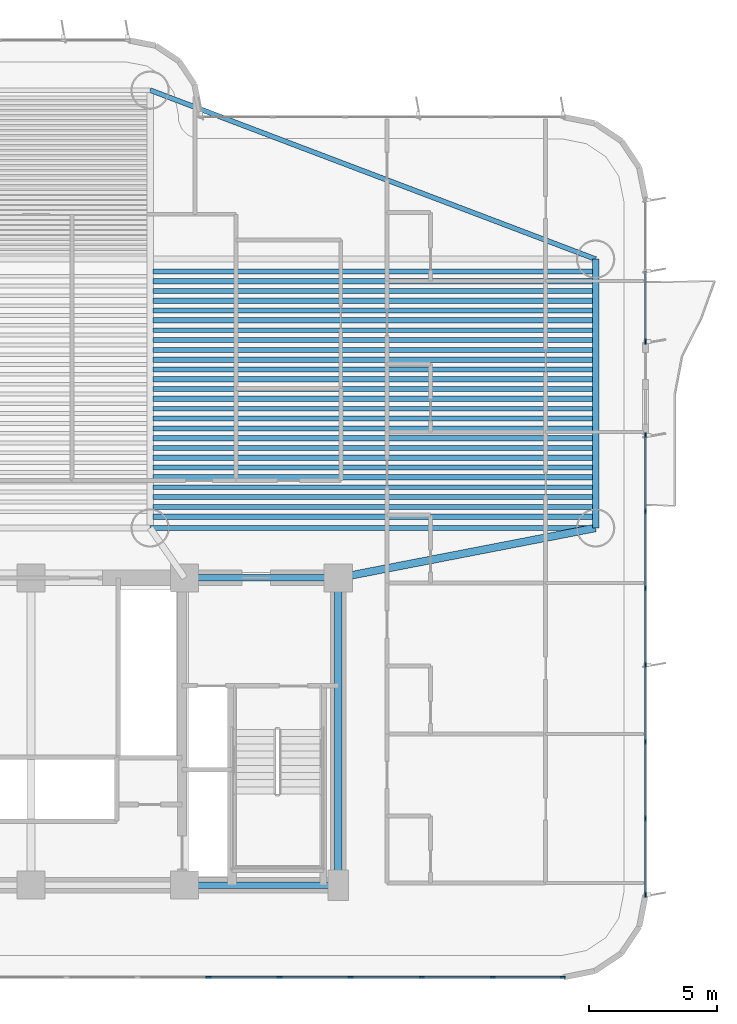
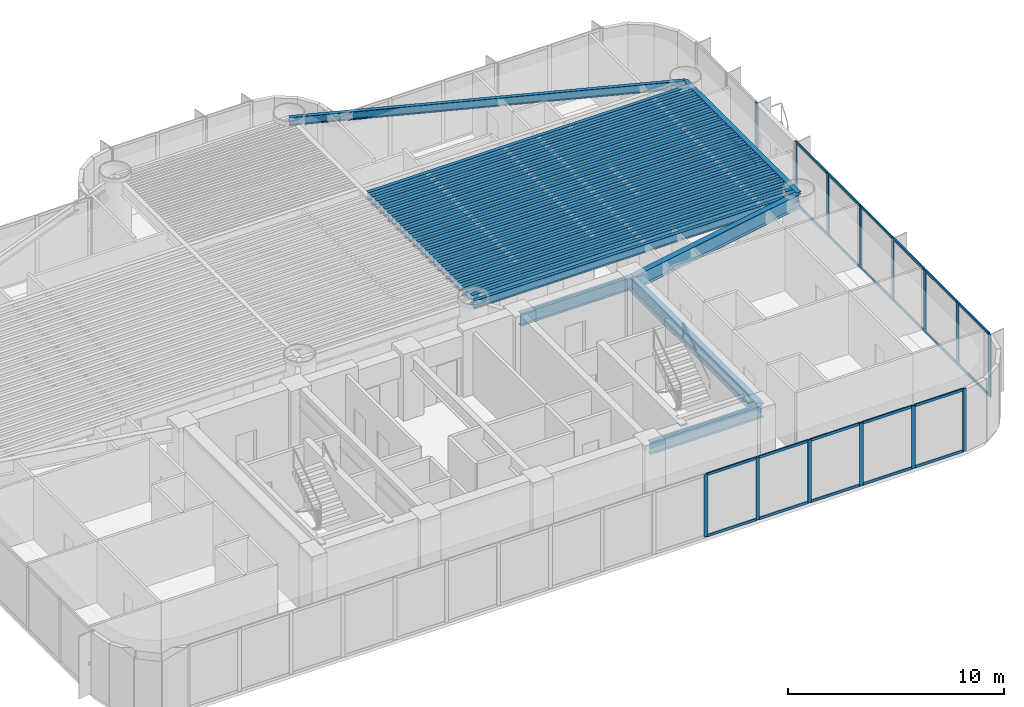
# One storey, part 5 of 18: 37 members, 33 beams, 3 elements without a shape of their own.
"""IFC4 building model written with IfcOpenShell, lengths in metres."""

from ifc_helpers import new_model, si_unit, direction, frame, origin, origin_2d, place, context, subcontext, project, spatial, rectangle, i_section, extrude, source, transform, mapped, material, layer, layer_set, material_profile, profile_set, type_object, element, aggregate, save


model = new_model("IFC4")

# Units and contexts
model_context = context("Model", 3, precision=1e-05, world=origin(), true_north=direction((0.0, 1.0)))
body_context = subcontext(model_context, "Body", "Model", "MODEL_VIEW")
ifc_project = project(units=[si_unit("LENGTHUNIT", "METRE"), si_unit("AREAUNIT", "SQUARE_METRE"), si_unit("VOLUMEUNIT", "CUBIC_METRE"), si_unit("PLANEANGLEUNIT", "RADIAN"), si_unit("MASSUNIT", "GRAM", prefix="KILO")], contexts=[model_context])

# Site, building, storey
site_placement = place(None, origin())
site = spatial("IfcSite", under=ifc_project, at=site_placement, CompositionType="ELEMENT")
building_placement = place(site_placement, origin())
building = spatial("IfcBuilding", under=site, at=building_placement, Name="Brelvock Crest Care Tower", CompositionType="ELEMENT")
storey_placement = place(building_placement, frame((0.0, 0.0, 42.1201171875)))
storey = spatial("IfcBuildingStorey", under=building, at=storey_placement, Name="L10", CompositionType="ELEMENT", Elevation=42.1201171875)

# Beams
ifc_material_1 = material(Name="Steel Grade 350", Category="steel")
ifc_material_profile_1 = material_profile(ifc_material_1, i_section(OverallWidth=0.25, OverallDepth=0.699951171875, WebThickness=0.011962890625, FlangeThickness=0.02001953125, at=origin_2d()), Name="700WB150")
ifc_profile_set_1 = profile_set([ifc_material_profile_1], Name="Steel Grade 350")
beam_type_1 = type_object("IfcBeamType", Name="BM-G4", PredefinedType="BEAM", material=ifc_profile_set_1)
shared_shape_1 = source(origin(), body_context, "Body", "SweptSolid", [
    extrude(i_section(OverallWidth=0.25, OverallDepth=0.699951171875, WebThickness=0.011962890625, FlangeThickness=0.02001953125, at=origin_2d()), origin(), (0.0, 0.0, 1.0), 6.0),
])
for number, where, z_axis, x_axis, name in (
    (1, (42.0, 6.0, 3.179931640625), (1.0, 0.0, 0.0), (0.0, 1.0, 0.0), "BM-CORES-L10-4"),
    (2, (42.0, 18.0, 3.179931640625), (1.0, 0.0, 0.0), (0.0, 1.0, 0.0), "BM-COREN-L10-4"),
):
    element("IfcBeam", number, at=place(storey_placement, frame(where, z_axis=z_axis, x_axis=x_axis)), inside=storey, type_object=beam_type_1, Name=name, PredefinedType="BEAM", context=body_context, shape_type="MappedRepresentation", body=[
        mapped(shared_shape_1, transform((0.0, 0.0, 0.0), x_axis=(1.0, 0.0, 0.0), y_axis=(0.0, 1.0, 0.0), z_axis=(0.0, 0.0, 1.0), scale=1.0)),
    ])
ifc_material_profile_2 = material_profile(ifc_material_1, i_section(OverallWidth=0.300048828125, OverallDepth=0.800048828125, WebThickness=0.013916015625, FlangeThickness=0.02197265625, at=origin_2d()), Name="800WB192")
ifc_profile_set_2 = profile_set([ifc_material_profile_2], Name="Steel Grade 350")
beam_type_2 = type_object("IfcBeamType", Name="BM-G5", PredefinedType="BEAM", material=ifc_profile_set_2)
shared_shape_2 = source(origin(), body_context, "Body", "SweptSolid", [
    extrude(i_section(OverallWidth=0.300048828125, OverallDepth=0.800048828125, WebThickness=0.013916015625, FlangeThickness=0.02197265625, at=origin_2d()), origin(), (0.0, 0.0, 1.0), 12.0),
])
beam_1_placement = place(storey_placement, frame((48.0, 6.0, 3.1298828125), z_axis=(0.0, 1.0, 0.0), x_axis=(-1.0, 0.0, 0.0)))
element("IfcBeam", 3, at=beam_1_placement, inside=storey, type_object=beam_type_2, Name="BM-COREX-L10-5", PredefinedType="BEAM", context=body_context, shape_type="MappedRepresentation", body=[
    mapped(shared_shape_2, transform((0.0, 0.0, 0.0), x_axis=(1.0, 0.0, 0.0), y_axis=(0.0, 1.0, 0.0), z_axis=(0.0, 0.0, 1.0), scale=1.0)),
])
shared_shape_3 = source(origin(), body_context, "Body", "SweptSolid", [
    extrude(i_section(OverallWidth=0.25, OverallDepth=0.699951171875, WebThickness=0.011962890625, FlangeThickness=0.02001953125, at=origin_2d()), origin(), (0.0, 0.0, 1.0), 10.5),
])
beam_2_placement = place(storey_placement, frame((58.050048828125, 19.949951171875, 3.179931640625), z_axis=(0.0, 1.0, 0.0), x_axis=(-1.0, 0.0, 0.0)))
element("IfcBeam", 4, at=beam_2_placement, inside=storey, type_object=beam_type_1, Name="BM-TWR-L10-02", PredefinedType="BEAM", context=body_context, shape_type="MappedRepresentation", body=[
    mapped(shared_shape_3, transform((0.0, 0.0, 0.0), x_axis=(1.0, 0.0, 0.0), y_axis=(0.0, 1.0, 0.0), z_axis=(0.0, 0.0, 1.0), scale=1.0)),
])
ifc_material_profile_3 = material_profile(ifc_material_1, i_section(OverallWidth=0.19091796875, OverallDepth=0.4599609375, WebThickness=0.010009765625, FlangeThickness=0.01611328125, FilletRadius=0.011474609375, at=origin_2d()), Name="460UB82.1")
ifc_profile_set_3 = profile_set([ifc_material_profile_3], Name="Steel Grade 350")
beam_type_3 = type_object("IfcBeamType", Name="BM-SP2", PredefinedType="SPANDREL", material=ifc_profile_set_3)
shared_shape_4 = source(origin(), body_context, "Body", "SweptSolid", [
    extrude(i_section(OverallWidth=0.19091796875, OverallDepth=0.4599609375, WebThickness=0.010009765625, FlangeThickness=0.01611328125, FilletRadius=0.011474609375, at=origin_2d()), origin(), (0.0, 0.0, 1.0), 17.400146484375),
])
beam_3_placement = place(storey_placement, frame((40.64990234375, 19.949951171875, 3.2998046875), z_axis=(1.0, 0.0, 0.0), x_axis=(0.0, 1.0, 0.0)))
element("IfcBeam", 5, at=beam_3_placement, inside=storey, type_object=beam_type_3, Name="BM-TWR-L10-04", PredefinedType="SPANDREL", context=body_context, shape_type="MappedRepresentation", body=[
    mapped(shared_shape_4, transform((0.0, 0.0, 0.0), x_axis=(1.0, 0.0, 0.0), y_axis=(0.0, 1.0, 0.0), z_axis=(0.0, 0.0, 1.0), scale=1.0)),
])
shared_shape_5 = source(origin(), body_context, "Body", "SweptSolid", [
    extrude(i_section(OverallWidth=0.19091796875, OverallDepth=0.4599609375, WebThickness=0.010009765625, FlangeThickness=0.01611328125, FilletRadius=0.011474609375, at=origin_2d()), origin(), (0.0, 0.0, 1.0), 18.60986328125),
])
beam_4_placement = place(storey_placement, frame((40.64990234375, 37.050048828125, 3.2998046875), z_axis=(0.934996776275, -0.3546562115, 0.0), x_axis=(0.3546562115, 0.934996776275, 0.0)))
element("IfcBeam", 6, at=beam_4_placement, inside=storey, type_object=beam_type_3, Name="BM-TWR-L10-07", PredefinedType="SPANDREL", context=body_context, shape_type="MappedRepresentation", body=[
    mapped(shared_shape_5, transform((0.0, 0.0, 0.0), x_axis=(1.0, 0.0, 0.0), y_axis=(0.0, 1.0, 0.0), z_axis=(0.0, 0.0, 1.0), scale=1.0)),
])
shared_shape_6 = source(origin(), body_context, "Body", "SweptSolid", [
    extrude(i_section(OverallWidth=0.300048828125, OverallDepth=0.800048828125, WebThickness=0.013916015625, FlangeThickness=0.02197265625, at=origin_2d()), origin(), (0.0, 0.0, 1.0), 10.237548828125),
])
beam_5_placement = place(storey_placement, frame((48.0, 18.0, 3.1298828125), z_axis=(0.981692632568, 0.190471979991, 0.0), x_axis=(-0.190471979991, 0.981692632568, 0.0)))
element("IfcBeam", 7, at=beam_5_placement, inside=storey, type_object=beam_type_2, Name="BM-THRO-E-L10", PredefinedType="BEAM", context=body_context, shape_type="MappedRepresentation", body=[
    mapped(shared_shape_6, transform((0.0, 0.0, 0.0), x_axis=(1.0, 0.0, 0.0), y_axis=(0.0, 1.0, 0.0), z_axis=(0.0, 0.0, 1.0), scale=1.0)),
])
ifc_material_profile_4 = material_profile(ifc_material_1, i_section(OverallWidth=0.208984375, OverallDepth=0.532958984375, WebThickness=0.01025390625, FlangeThickness=0.015625, FilletRadius=0.013916015625, at=origin_2d()), Name="530UB92.4")
ifc_profile_set_4 = profile_set([ifc_material_profile_4], Name="Steel Grade 350")
beam_type_4 = type_object("IfcBeamType", Name="BM-G2", PredefinedType="BEAM", material=ifc_profile_set_4)
shared_shape_7 = source(origin(), body_context, "Body", "SweptSolid", [
    extrude(i_section(OverallWidth=0.208984375, OverallDepth=0.532958984375, WebThickness=0.01025390625, FlangeThickness=0.015625, FilletRadius=0.013916015625, at=origin_2d()), origin(), (0.0, 0.0, 1.0), 17.170166015625),
])
for number, where, z_axis, x_axis, name in (
    (8, (40.764892578125, 20.39111328125, 3.263427734375), (1.0, 0.0, 0.0), (0.0, 1.0, 0.0), "BM-JE-L10-1"),
    (9, (40.764892578125, 21.157470703125, 3.263427734375), (1.0, 0.0, 0.0), (0.0, 1.0, 0.0), "BM-JE-L10-3"),
    (10, (40.764892578125, 21.924072265625, 3.263427734375), (1.0, 0.0, 0.0), (0.0, 1.0, 0.0), "BM-JE-L10-5"),
    (11, (40.764892578125, 22.6904296875, 3.263427734375), (1.0, 0.0, 0.0), (0.0, 1.0, 0.0), "BM-JE-L10-7"),
    (12, (40.764892578125, 23.45703125, 3.263427734375), (1.0, 0.0, 0.0), (0.0, 1.0, 0.0), "BM-JE-L10-9"),
    (13, (40.764892578125, 24.223388671875, 3.263427734375), (1.0, 0.0, 0.0), (0.0, 1.0, 0.0), "BM-JE-L10-11"),
    (14, (40.764892578125, 24.989990234375, 3.263427734375), (1.0, 0.0, 0.0), (0.0, 1.0, 0.0), "BM-JE-L10-13"),
    (15, (40.764892578125, 25.756591796875, 3.263427734375), (1.0, 0.0, 0.0), (0.0, 1.0, 0.0), "BM-JE-L10-15"),
    (16, (40.764892578125, 26.52294921875, 3.263427734375), (1.0, 0.0, 0.0), (0.0, 1.0, 0.0), "BM-JE-L10-17"),
    (17, (40.764892578125, 27.28955078125, 3.263427734375), (1.0, 0.0, 0.0), (0.0, 1.0, 0.0), "BM-JE-L10-19"),
    (18, (40.764892578125, 28.055908203125, 3.263427734375), (1.0, 0.0, 0.0), (0.0, 1.0, 0.0), "BM-JE-L10-21"),
    (19, (40.764892578125, 28.822509765625, 3.263427734375), (1.0, 0.0, 0.0), (0.0, 1.0, 0.0), "BM-JE-L10-23"),
    (20, (40.764892578125, 29.589111328125, 3.263427734375), (1.0, 0.0, 0.0), (0.0, 1.0, 0.0), "BM-JE-L10-25"),
):
    element("IfcBeam", number, at=place(storey_placement, frame(where, z_axis=z_axis, x_axis=x_axis)), inside=storey, type_object=beam_type_4, Name=name, PredefinedType="BEAM", context=body_context, shape_type="MappedRepresentation", body=[
        mapped(shared_shape_7, transform((0.0, 0.0, 0.0), x_axis=(1.0, 0.0, 0.0), y_axis=(0.0, 1.0, 0.0), z_axis=(0.0, 0.0, 1.0), scale=1.0)),
    ])
ifc_material_profile_5 = material_profile(ifc_material_1, i_section(OverallWidth=0.19091796875, OverallDepth=0.4599609375, WebThickness=0.010009765625, FlangeThickness=0.01611328125, FilletRadius=0.011474609375, at=origin_2d()), Name="460UB82.1")
ifc_profile_set_5 = profile_set([ifc_material_profile_5], Name="Steel Grade 350")
beam_type_5 = type_object("IfcBeamType", Name="BM-G3", PredefinedType="BEAM", material=ifc_profile_set_5)
shared_shape_8 = source(origin(), body_context, "Body", "SweptSolid", [
    extrude(i_section(OverallWidth=0.19091796875, OverallDepth=0.4599609375, WebThickness=0.010009765625, FlangeThickness=0.01611328125, FilletRadius=0.011474609375, at=origin_2d()), origin(), (0.0, 0.0, 1.0), 17.170166015625),
])
for number, where, z_axis, x_axis, name in (
    (21, (40.764892578125, 20.774169921875, 3.2998046875), (1.0, 0.0, 0.0), (0.0, 1.0, 0.0), "BM-JE-L10-2"),
    (22, (40.764892578125, 21.540771484375, 3.2998046875), (1.0, 0.0, 0.0), (0.0, 1.0, 0.0), "BM-JE-L10-4"),
    (23, (40.764892578125, 22.30712890625, 3.2998046875), (1.0, 0.0, 0.0), (0.0, 1.0, 0.0), "BM-JE-L10-6"),
    (24, (40.764892578125, 23.07373046875, 3.2998046875), (1.0, 0.0, 0.0), (0.0, 1.0, 0.0), "BM-JE-L10-8"),
    (25, (40.764892578125, 23.840087890625, 3.2998046875), (1.0, 0.0, 0.0), (0.0, 1.0, 0.0), "BM-JE-L10-10"),
    (26, (40.764892578125, 24.606689453125, 3.2998046875), (1.0, 0.0, 0.0), (0.0, 1.0, 0.0), "BM-JE-L10-12"),
    (27, (40.764892578125, 25.373291015625, 3.2998046875), (1.0, 0.0, 0.0), (0.0, 1.0, 0.0), "BM-JE-L10-14"),
    (28, (40.764892578125, 26.1396484375, 3.2998046875), (1.0, 0.0, 0.0), (0.0, 1.0, 0.0), "BM-JE-L10-16"),
    (29, (40.764892578125, 26.90625, 3.2998046875), (1.0, 0.0, 0.0), (0.0, 1.0, 0.0), "BM-JE-L10-18"),
    (30, (40.764892578125, 27.6728515625, 3.2998046875), (1.0, 0.0, 0.0), (0.0, 1.0, 0.0), "BM-JE-L10-20"),
    (31, (40.764892578125, 28.439208984375, 3.2998046875), (1.0, 0.0, 0.0), (0.0, 1.0, 0.0), "BM-JE-L10-22"),
    (32, (40.764892578125, 29.205810546875, 3.2998046875), (1.0, 0.0, 0.0), (0.0, 1.0, 0.0), "BM-JE-L10-24"),
    (33, (40.764892578125, 29.97216796875, 3.2998046875), (1.0, 0.0, 0.0), (0.0, 1.0, 0.0), "BM-JE-L10-26"),
):
    element("IfcBeam", number, at=place(storey_placement, frame(where, z_axis=z_axis, x_axis=x_axis)), inside=storey, type_object=beam_type_5, Name=name, PredefinedType="BEAM", context=body_context, shape_type="MappedRepresentation", body=[
        mapped(shared_shape_8, transform((0.0, 0.0, 0.0), x_axis=(1.0, 0.0, 0.0), y_axis=(0.0, 1.0, 0.0), z_axis=(0.0, 0.0, 1.0), scale=1.0)),
    ])

# Curtain wall, members
ifc_material_2 = material(Name="Dark Glass Double Glazed Low-E", Category="glass")
ifc_layer = layer(ifc_material_2, 0.195068359375, Name="CWS-2")
ifc_layer_set = layer_set([ifc_layer], Name="Dark Glass Double Glazed Low-E")
curtain_wall_type = type_object("IfcCurtainWallType", Name="CWS-2", PredefinedType="NOTDEFINED", material=ifc_layer_set)
curtain_wall_1_placement = place(storey_placement, origin())
curtain_wall_1 = element("IfcCurtainWall", 34, at=curtain_wall_1_placement, inside=storey, type_object=curtain_wall_type, Name="L10 Curtain Wall E08", PredefinedType="NOTDEFINED")
ifc_material_3 = material(Name="Aluminium 6063-T6", Category="aluminium")
ifc_material_profile_6 = material_profile(ifc_material_3, rectangle(XDim=0.06494140625, YDim=0.14990234375, at=origin_2d()), Name="ALU65x150")
ifc_profile_set_6 = profile_set([ifc_material_profile_6], Name="Aluminium 6063-T6")
member_type_1 = type_object("IfcMemberType", Name="CWT-1", PredefinedType="USERDEFINED", material=ifc_profile_set_6)
shared_shape_9 = source(origin(), body_context, "Body", "SweptSolid", [
    extrude(rectangle(XDim=0.06494140625, YDim=0.14990234375, at=origin_2d()), origin(), (0.0, 0.0, 1.0), 2.676025390625),
])
member_1_placement = place(storey_placement, frame((56.735107421875, 2.39990234375, 0.032470703125), z_axis=(-1.0, 0.0, 0.0), x_axis=(0.0, -1.0, 0.0)))
member_1 = element("IfcMember", 35, at=member_1_placement, type_object=member_type_1, Name="CW-2 transom 1.1", ObjectType="TRANSOM", PredefinedType="USERDEFINED", context=body_context, shape_type="MappedRepresentation", body=[
    mapped(shared_shape_9, transform((0.0, 0.0, 0.0), x_axis=(1.0, 0.0, 0.0), y_axis=(0.0, 1.0, 0.0), z_axis=(0.0, 0.0, 1.0), scale=1.0)),
])
member_2_placement = place(storey_placement, frame((56.735107421875, 2.39990234375, 3.497314453125), z_axis=(-1.0, 0.0, 0.0), x_axis=(0.0, -1.0, 0.0)))
member_2 = element("IfcMember", 36, at=member_2_placement, type_object=member_type_1, Name="CW-2 transom 1.2", ObjectType="TRANSOM", PredefinedType="USERDEFINED", context=body_context, shape_type="MappedRepresentation", body=[
    mapped(shared_shape_9, transform((0.0, 0.0, 0.0), x_axis=(1.0, 0.0, 0.0), y_axis=(0.0, 1.0, 0.0), z_axis=(0.0, 0.0, 1.0), scale=1.0)),
])
shared_shape_10 = source(origin(), body_context, "Body", "SweptSolid", [
    extrude(rectangle(XDim=0.06494140625, YDim=0.14990234375, at=origin_2d()), origin(), (0.0, 0.0, 1.0), 2.708251953125),
])
member_3_placement = place(storey_placement, frame((53.994140625, 2.39990234375, 0.032470703125), z_axis=(-1.0, 0.0, 0.0), x_axis=(0.0, -1.0, 0.0)))
member_3 = element("IfcMember", 37, at=member_3_placement, type_object=member_type_1, Name="CW-2 transom 2.1", ObjectType="TRANSOM", PredefinedType="USERDEFINED", context=body_context, shape_type="MappedRepresentation", body=[
    mapped(shared_shape_10, transform((0.0, 0.0, 0.0), x_axis=(1.0, 0.0, 0.0), y_axis=(0.0, 1.0, 0.0), z_axis=(0.0, 0.0, 1.0), scale=1.0)),
])
member_4_placement = place(storey_placement, frame((53.994140625, 2.39990234375, 3.497314453125), z_axis=(-1.0, 0.0, 0.0), x_axis=(0.0, -1.0, 0.0)))
member_4 = element("IfcMember", 38, at=member_4_placement, type_object=member_type_1, Name="CW-2 transom 2.2", ObjectType="TRANSOM", PredefinedType="USERDEFINED", context=body_context, shape_type="MappedRepresentation", body=[
    mapped(shared_shape_10, transform((0.0, 0.0, 0.0), x_axis=(1.0, 0.0, 0.0), y_axis=(0.0, 1.0, 0.0), z_axis=(0.0, 0.0, 1.0), scale=1.0)),
])
member_5_placement = place(storey_placement, frame((48.447509765625, 2.39990234375, 0.032470703125), z_axis=(-1.0, 0.0, 0.0), x_axis=(0.0, -1.0, 0.0)))
member_5 = element("IfcMember", 39, at=member_5_placement, type_object=member_type_1, Name="CW-2 transom 4.1", ObjectType="TRANSOM", PredefinedType="USERDEFINED", context=body_context, shape_type="MappedRepresentation", body=[
    mapped(shared_shape_10, transform((0.0, 0.0, 0.0), x_axis=(1.0, 0.0, 0.0), y_axis=(0.0, 1.0, 0.0), z_axis=(0.0, 0.0, 1.0), scale=1.0)),
])
member_6_placement = place(storey_placement, frame((48.447509765625, 2.39990234375, 3.497314453125), z_axis=(-1.0, 0.0, 0.0), x_axis=(0.0, -1.0, 0.0)))
member_6 = element("IfcMember", 40, at=member_6_placement, type_object=member_type_1, Name="CW-2 transom 4.2", ObjectType="TRANSOM", PredefinedType="USERDEFINED", context=body_context, shape_type="MappedRepresentation", body=[
    mapped(shared_shape_10, transform((0.0, 0.0, 0.0), x_axis=(1.0, 0.0, 0.0), y_axis=(0.0, 1.0, 0.0), z_axis=(0.0, 0.0, 1.0), scale=1.0)),
])
member_7_placement = place(storey_placement, frame((45.674072265625, 2.39990234375, 0.032470703125), z_axis=(-1.0, 0.0, 0.0), x_axis=(0.0, -1.0, 0.0)))
member_7 = element("IfcMember", 41, at=member_7_placement, type_object=member_type_1, Name="CW-2 transom 5.1", ObjectType="TRANSOM", PredefinedType="USERDEFINED", context=body_context, shape_type="MappedRepresentation", body=[
    mapped(shared_shape_10, transform((0.0, 0.0, 0.0), x_axis=(1.0, 0.0, 0.0), y_axis=(0.0, 1.0, 0.0), z_axis=(0.0, 0.0, 1.0), scale=1.0)),
])
member_8_placement = place(storey_placement, frame((45.674072265625, 2.39990234375, 3.497314453125), z_axis=(-1.0, 0.0, 0.0), x_axis=(0.0, -1.0, 0.0)))
member_8 = element("IfcMember", 42, at=member_8_placement, type_object=member_type_1, Name="CW-2 transom 5.2", ObjectType="TRANSOM", PredefinedType="USERDEFINED", context=body_context, shape_type="MappedRepresentation", body=[
    mapped(shared_shape_10, transform((0.0, 0.0, 0.0), x_axis=(1.0, 0.0, 0.0), y_axis=(0.0, 1.0, 0.0), z_axis=(0.0, 0.0, 1.0), scale=1.0)),
])
shared_shape_11 = source(origin(), body_context, "Body", "SweptSolid", [
    extrude(rectangle(XDim=0.06494140625, YDim=0.14990234375, at=origin_2d()), origin(), (0.0, 0.0, 1.0), 2.70849609375),
])
member_9_placement = place(storey_placement, frame((51.220947265625, 2.39990234375, 0.032470703125), z_axis=(-1.0, 0.0, 0.0), x_axis=(0.0, -1.0, 0.0)))
member_9 = element("IfcMember", 43, at=member_9_placement, type_object=member_type_1, Name="CW-2 transom 3.1", ObjectType="TRANSOM", PredefinedType="USERDEFINED", context=body_context, shape_type="MappedRepresentation", body=[
    mapped(shared_shape_11, transform((0.0, 0.0, 0.0), x_axis=(1.0, 0.0, 0.0), y_axis=(0.0, 1.0, 0.0), z_axis=(0.0, 0.0, 1.0), scale=1.0)),
])
member_10_placement = place(storey_placement, frame((51.220947265625, 2.39990234375, 3.497314453125), z_axis=(-1.0, 0.0, 0.0), x_axis=(0.0, -1.0, 0.0)))
member_10 = element("IfcMember", 44, at=member_10_placement, type_object=member_type_1, Name="CW-2 transom 3.2", ObjectType="TRANSOM", PredefinedType="USERDEFINED", context=body_context, shape_type="MappedRepresentation", body=[
    mapped(shared_shape_11, transform((0.0, 0.0, 0.0), x_axis=(1.0, 0.0, 0.0), y_axis=(0.0, 1.0, 0.0), z_axis=(0.0, 0.0, 1.0), scale=1.0)),
])

# Curtain wall, member
curtain_wall_2_placement = place(storey_placement, origin())
curtain_wall_2 = element("IfcCurtainWall", 45, at=curtain_wall_2_placement, inside=storey, type_object=curtain_wall_type, Name="L10 Curtain Wall E03A", PredefinedType="NOTDEFINED")
shared_shape_12 = source(origin(), body_context, "Body", "SweptSolid", [
    extrude(rectangle(XDim=0.06494140625, YDim=0.14990234375, at=origin_2d()), origin(), (0.0, 0.0, 1.0), 2.70263671875),
])
member_11_placement = place(storey_placement, frame((60.0, 29.967529296875, 0.032470703125), z_axis=(0.0, -1.0, 0.0), x_axis=(1.0, 0.0, 0.0)))
member_11 = element("IfcMember", 46, at=member_11_placement, type_object=member_type_1, Name="CW-2 transom 2.1", ObjectType="TRANSOM", PredefinedType="USERDEFINED", context=body_context, shape_type="MappedRepresentation", body=[
    mapped(shared_shape_12, transform((0.0, 0.0, 0.0), x_axis=(1.0, 0.0, 0.0), y_axis=(0.0, 1.0, 0.0), z_axis=(0.0, 0.0, 1.0), scale=1.0)),
])

# Curtain wall, members
curtain_wall_3_placement = place(storey_placement, origin())
curtain_wall_3 = element("IfcCurtainWall", 47, at=curtain_wall_3_placement, inside=storey, type_object=curtain_wall_type, Name="L10 Curtain Wall E03B", PredefinedType="NOTDEFINED")
shared_shape_13 = source(origin(), body_context, "Body", "SweptSolid", [
    extrude(rectangle(XDim=0.06494140625, YDim=0.14990234375, at=origin_2d()), origin(), (0.0, 0.0, 1.0), 2.90234375),
])
member_12_placement = place(storey_placement, frame((60.0, 23.534912109375, 0.032470703125), z_axis=(0.0, -1.0, 0.0), x_axis=(1.0, 0.0, 0.0)))
member_12 = element("IfcMember", 48, at=member_12_placement, type_object=member_type_1, Name="CW-2 transom 1.1", ObjectType="TRANSOM", PredefinedType="USERDEFINED", context=body_context, shape_type="MappedRepresentation", body=[
    mapped(shared_shape_13, transform((0.0, 0.0, 0.0), x_axis=(1.0, 0.0, 0.0), y_axis=(0.0, 1.0, 0.0), z_axis=(0.0, 0.0, 1.0), scale=1.0)),
])
member_13_placement = place(storey_placement, frame((60.0, 23.534912109375, 3.497314453125), z_axis=(0.0, -1.0, 0.0), x_axis=(1.0, 0.0, 0.0)))
member_13 = element("IfcMember", 49, at=member_13_placement, type_object=member_type_1, Name="CW-2 transom 1.2", ObjectType="TRANSOM", PredefinedType="USERDEFINED", context=body_context, shape_type="MappedRepresentation", body=[
    mapped(shared_shape_13, transform((0.0, 0.0, 0.0), x_axis=(1.0, 0.0, 0.0), y_axis=(0.0, 1.0, 0.0), z_axis=(0.0, 0.0, 1.0), scale=1.0)),
])
member_14_placement = place(storey_placement, frame((60.0, 8.5673828125, 0.032470703125), z_axis=(0.0, -1.0, 0.0), x_axis=(1.0, 0.0, 0.0)))
member_14 = element("IfcMember", 50, at=member_14_placement, type_object=member_type_1, Name="CW-2 transom 6.1", ObjectType="TRANSOM", PredefinedType="USERDEFINED", context=body_context, shape_type="MappedRepresentation", body=[
    mapped(shared_shape_13, transform((0.0, 0.0, 0.0), x_axis=(1.0, 0.0, 0.0), y_axis=(0.0, 1.0, 0.0), z_axis=(0.0, 0.0, 1.0), scale=1.0)),
])
member_15_placement = place(storey_placement, frame((60.0, 8.5673828125, 3.497314453125), z_axis=(0.0, -1.0, 0.0), x_axis=(1.0, 0.0, 0.0)))
member_15 = element("IfcMember", 51, at=member_15_placement, type_object=member_type_1, Name="CW-2 transom 6.2", ObjectType="TRANSOM", PredefinedType="USERDEFINED", context=body_context, shape_type="MappedRepresentation", body=[
    mapped(shared_shape_13, transform((0.0, 0.0, 0.0), x_axis=(1.0, 0.0, 0.0), y_axis=(0.0, 1.0, 0.0), z_axis=(0.0, 0.0, 1.0), scale=1.0)),
])
shared_shape_14 = source(origin(), body_context, "Body", "SweptSolid", [
    extrude(rectangle(XDim=0.06494140625, YDim=0.14990234375, at=origin_2d()), origin(), (0.0, 0.0, 1.0), 2.934814453125),
])
member_16_placement = place(storey_placement, frame((60.0, 20.5673828125, 0.032470703125), z_axis=(0.0, -1.0, 0.0), x_axis=(1.0, 0.0, 0.0)))
member_16 = element("IfcMember", 52, at=member_16_placement, type_object=member_type_1, Name="CW-2 transom 2.1", ObjectType="TRANSOM", PredefinedType="USERDEFINED", context=body_context, shape_type="MappedRepresentation", body=[
    mapped(shared_shape_14, transform((0.0, 0.0, 0.0), x_axis=(1.0, 0.0, 0.0), y_axis=(0.0, 1.0, 0.0), z_axis=(0.0, 0.0, 1.0), scale=1.0)),
])
member_17_placement = place(storey_placement, frame((60.0, 20.5673828125, 3.497314453125), z_axis=(0.0, -1.0, 0.0), x_axis=(1.0, 0.0, 0.0)))
member_17 = element("IfcMember", 53, at=member_17_placement, type_object=member_type_1, Name="CW-2 transom 2.2", ObjectType="TRANSOM", PredefinedType="USERDEFINED", context=body_context, shape_type="MappedRepresentation", body=[
    mapped(shared_shape_14, transform((0.0, 0.0, 0.0), x_axis=(1.0, 0.0, 0.0), y_axis=(0.0, 1.0, 0.0), z_axis=(0.0, 0.0, 1.0), scale=1.0)),
])
member_18_placement = place(storey_placement, frame((60.0, 17.5673828125, 0.032470703125), z_axis=(0.0, -1.0, 0.0), x_axis=(1.0, 0.0, 0.0)))
member_18 = element("IfcMember", 54, at=member_18_placement, type_object=member_type_1, Name="CW-2 transom 3.1", ObjectType="TRANSOM", PredefinedType="USERDEFINED", context=body_context, shape_type="MappedRepresentation", body=[
    mapped(shared_shape_14, transform((0.0, 0.0, 0.0), x_axis=(1.0, 0.0, 0.0), y_axis=(0.0, 1.0, 0.0), z_axis=(0.0, 0.0, 1.0), scale=1.0)),
])
member_19_placement = place(storey_placement, frame((60.0, 17.5673828125, 3.497314453125), z_axis=(0.0, -1.0, 0.0), x_axis=(1.0, 0.0, 0.0)))
member_19 = element("IfcMember", 55, at=member_19_placement, type_object=member_type_1, Name="CW-2 transom 3.2", ObjectType="TRANSOM", PredefinedType="USERDEFINED", context=body_context, shape_type="MappedRepresentation", body=[
    mapped(shared_shape_14, transform((0.0, 0.0, 0.0), x_axis=(1.0, 0.0, 0.0), y_axis=(0.0, 1.0, 0.0), z_axis=(0.0, 0.0, 1.0), scale=1.0)),
])
member_20_placement = place(storey_placement, frame((60.0, 14.5673828125, 0.032470703125), z_axis=(0.0, -1.0, 0.0), x_axis=(1.0, 0.0, 0.0)))
member_20 = element("IfcMember", 56, at=member_20_placement, type_object=member_type_1, Name="CW-2 transom 4.1", ObjectType="TRANSOM", PredefinedType="USERDEFINED", context=body_context, shape_type="MappedRepresentation", body=[
    mapped(shared_shape_14, transform((0.0, 0.0, 0.0), x_axis=(1.0, 0.0, 0.0), y_axis=(0.0, 1.0, 0.0), z_axis=(0.0, 0.0, 1.0), scale=1.0)),
])
member_21_placement = place(storey_placement, frame((60.0, 14.5673828125, 3.497314453125), z_axis=(0.0, -1.0, 0.0), x_axis=(1.0, 0.0, 0.0)))
member_21 = element("IfcMember", 57, at=member_21_placement, type_object=member_type_1, Name="CW-2 transom 4.2", ObjectType="TRANSOM", PredefinedType="USERDEFINED", context=body_context, shape_type="MappedRepresentation", body=[
    mapped(shared_shape_14, transform((0.0, 0.0, 0.0), x_axis=(1.0, 0.0, 0.0), y_axis=(0.0, 1.0, 0.0), z_axis=(0.0, 0.0, 1.0), scale=1.0)),
])
member_22_placement = place(storey_placement, frame((60.0, 11.5673828125, 0.032470703125), z_axis=(0.0, -1.0, 0.0), x_axis=(1.0, 0.0, 0.0)))
member_22 = element("IfcMember", 58, at=member_22_placement, type_object=member_type_1, Name="CW-2 transom 5.1", ObjectType="TRANSOM", PredefinedType="USERDEFINED", context=body_context, shape_type="MappedRepresentation", body=[
    mapped(shared_shape_14, transform((0.0, 0.0, 0.0), x_axis=(1.0, 0.0, 0.0), y_axis=(0.0, 1.0, 0.0), z_axis=(0.0, 0.0, 1.0), scale=1.0)),
])
member_23_placement = place(storey_placement, frame((60.0, 11.5673828125, 3.497314453125), z_axis=(0.0, -1.0, 0.0), x_axis=(1.0, 0.0, 0.0)))
member_23 = element("IfcMember", 59, at=member_23_placement, type_object=member_type_1, Name="CW-2 transom 5.2", ObjectType="TRANSOM", PredefinedType="USERDEFINED", context=body_context, shape_type="MappedRepresentation", body=[
    mapped(shared_shape_14, transform((0.0, 0.0, 0.0), x_axis=(1.0, 0.0, 0.0), y_axis=(0.0, 1.0, 0.0), z_axis=(0.0, 0.0, 1.0), scale=1.0)),
])

# Member
ifc_material_profile_7 = material_profile(ifc_material_3, rectangle(XDim=0.06494140625, YDim=0.199951171875, at=origin_2d()), Name="ALU65x200")
ifc_profile_set_7 = profile_set([ifc_material_profile_7], Name="Aluminium 6063-T6")
member_type_2 = type_object("IfcMemberType", Name="CWM-1", PredefinedType="MULLION", material=ifc_profile_set_7)
shared_shape_15 = source(origin(), body_context, "Body", "SweptSolid", [
    extrude(rectangle(XDim=0.06494140625, YDim=0.199951171875, at=origin_2d()), origin(), (0.0, 0.0, 1.0), 3.52978515625),
])
member_24_placement = place(storey_placement, frame((60.0, 27.232421875, 0.0), z_axis=(0.0, 0.0, 1.0), x_axis=(1.0, 0.0, 0.0)))
member_24 = element("IfcMember", 60, at=member_24_placement, type_object=member_type_2, Name="CW-2 mullion 3", PredefinedType="MULLION", context=body_context, shape_type="MappedRepresentation", body=[
    mapped(shared_shape_15, transform((0.0, 0.0, 0.0), x_axis=(1.0, 0.0, 0.0), y_axis=(0.0, 1.0, 0.0), z_axis=(0.0, 0.0, 1.0), scale=1.0)),
])

aggregate(curtain_wall_2, [member_24, member_11])

member_25_placement = place(storey_placement, frame((60.0, 23.5673828125, 0.0), z_axis=(0.0, 0.0, 1.0), x_axis=(1.0, 0.0, 0.0)))
member_25 = element("IfcMember", 61, at=member_25_placement, type_object=member_type_2, Name="CW-2 mullion 1", PredefinedType="MULLION", context=body_context, shape_type="MappedRepresentation", body=[
    mapped(shared_shape_15, transform((0.0, 0.0, 0.0), x_axis=(1.0, 0.0, 0.0), y_axis=(0.0, 1.0, 0.0), z_axis=(0.0, 0.0, 1.0), scale=1.0)),
])

member_26_placement = place(storey_placement, frame((60.0, 20.60009765625, 0.0), z_axis=(0.0, 0.0, 1.0), x_axis=(1.0, 0.0, 0.0)))
member_26 = element("IfcMember", 62, at=member_26_placement, type_object=member_type_2, Name="CW-2 mullion 2", PredefinedType="MULLION", context=body_context, shape_type="MappedRepresentation", body=[
    mapped(shared_shape_15, transform((0.0, 0.0, 0.0), x_axis=(1.0, 0.0, 0.0), y_axis=(0.0, 1.0, 0.0), z_axis=(0.0, 0.0, 1.0), scale=1.0)),
])

member_27_placement = place(storey_placement, frame((60.0, 17.60009765625, 0.0), z_axis=(0.0, 0.0, 1.0), x_axis=(1.0, 0.0, 0.0)))
member_27 = element("IfcMember", 63, at=member_27_placement, type_object=member_type_2, Name="CW-2 mullion 3", PredefinedType="MULLION", context=body_context, shape_type="MappedRepresentation", body=[
    mapped(shared_shape_15, transform((0.0, 0.0, 0.0), x_axis=(1.0, 0.0, 0.0), y_axis=(0.0, 1.0, 0.0), z_axis=(0.0, 0.0, 1.0), scale=1.0)),
])

member_28_placement = place(storey_placement, frame((60.0, 14.60009765625, 0.0), z_axis=(0.0, 0.0, 1.0), x_axis=(1.0, 0.0, 0.0)))
member_28 = element("IfcMember", 64, at=member_28_placement, type_object=member_type_2, Name="CW-2 mullion 4", PredefinedType="MULLION", context=body_context, shape_type="MappedRepresentation", body=[
    mapped(shared_shape_15, transform((0.0, 0.0, 0.0), x_axis=(1.0, 0.0, 0.0), y_axis=(0.0, 1.0, 0.0), z_axis=(0.0, 0.0, 1.0), scale=1.0)),
])

member_29_placement = place(storey_placement, frame((60.0, 11.60009765625, 0.0), z_axis=(0.0, 0.0, 1.0), x_axis=(1.0, 0.0, 0.0)))
member_29 = element("IfcMember", 65, at=member_29_placement, type_object=member_type_2, Name="CW-2 mullion 5", PredefinedType="MULLION", context=body_context, shape_type="MappedRepresentation", body=[
    mapped(shared_shape_15, transform((0.0, 0.0, 0.0), x_axis=(1.0, 0.0, 0.0), y_axis=(0.0, 1.0, 0.0), z_axis=(0.0, 0.0, 1.0), scale=1.0)),
])

member_30_placement = place(storey_placement, frame((60.0, 8.60009765625, 0.0), z_axis=(0.0, 0.0, 1.0), x_axis=(1.0, 0.0, 0.0)))
member_30 = element("IfcMember", 66, at=member_30_placement, type_object=member_type_2, Name="CW-2 mullion 6", PredefinedType="MULLION", context=body_context, shape_type="MappedRepresentation", body=[
    mapped(shared_shape_15, transform((0.0, 0.0, 0.0), x_axis=(1.0, 0.0, 0.0), y_axis=(0.0, 1.0, 0.0), z_axis=(0.0, 0.0, 1.0), scale=1.0)),
])

member_31_placement = place(storey_placement, frame((60.0, 5.632568359375, 0.0), z_axis=(0.0, 0.0, 1.0), x_axis=(1.0, 0.0, 0.0)))
member_31 = element("IfcMember", 67, at=member_31_placement, type_object=member_type_2, Name="CW-2 mullion 7", PredefinedType="MULLION", context=body_context, shape_type="MappedRepresentation", body=[
    mapped(shared_shape_15, transform((0.0, 0.0, 0.0), x_axis=(1.0, 0.0, 0.0), y_axis=(0.0, 1.0, 0.0), z_axis=(0.0, 0.0, 1.0), scale=1.0)),
])

aggregate(curtain_wall_3, [member_25, member_26, member_27, member_28, member_29, member_30, member_31, member_12, member_13, member_16, member_17, member_18, member_19, member_20, member_21, member_22, member_23, member_14, member_15])

member_32_placement = place(storey_placement, frame((56.767578125, 2.39990234375, 0.0), z_axis=(0.0, 0.0, 1.0), x_axis=(0.0, -1.0, 0.0)))
member_32 = element("IfcMember", 68, at=member_32_placement, type_object=member_type_2, Name="CW-2 mullion 1", PredefinedType="MULLION", context=body_context, shape_type="MappedRepresentation", body=[
    mapped(shared_shape_15, transform((0.0, 0.0, 0.0), x_axis=(1.0, 0.0, 0.0), y_axis=(0.0, 1.0, 0.0), z_axis=(0.0, 0.0, 1.0), scale=1.0)),
])

member_33_placement = place(storey_placement, frame((54.026611328125, 2.39990234375, 0.0), z_axis=(0.0, 0.0, 1.0), x_axis=(0.0, -1.0, 0.0)))
member_33 = element("IfcMember", 69, at=member_33_placement, type_object=member_type_2, Name="CW-2 mullion 2", PredefinedType="MULLION", context=body_context, shape_type="MappedRepresentation", body=[
    mapped(shared_shape_15, transform((0.0, 0.0, 0.0), x_axis=(1.0, 0.0, 0.0), y_axis=(0.0, 1.0, 0.0), z_axis=(0.0, 0.0, 1.0), scale=1.0)),
])

member_34_placement = place(storey_placement, frame((51.25341796875, 2.39990234375, 0.0), z_axis=(0.0, 0.0, 1.0), x_axis=(0.0, -1.0, 0.0)))
member_34 = element("IfcMember", 70, at=member_34_placement, type_object=member_type_2, Name="CW-2 mullion 3", PredefinedType="MULLION", context=body_context, shape_type="MappedRepresentation", body=[
    mapped(shared_shape_15, transform((0.0, 0.0, 0.0), x_axis=(1.0, 0.0, 0.0), y_axis=(0.0, 1.0, 0.0), z_axis=(0.0, 0.0, 1.0), scale=1.0)),
])

member_35_placement = place(storey_placement, frame((48.47998046875, 2.39990234375, 0.0), z_axis=(0.0, 0.0, 1.0), x_axis=(0.0, -1.0, 0.0)))
member_35 = element("IfcMember", 71, at=member_35_placement, type_object=member_type_2, Name="CW-2 mullion 4", PredefinedType="MULLION", context=body_context, shape_type="MappedRepresentation", body=[
    mapped(shared_shape_15, transform((0.0, 0.0, 0.0), x_axis=(1.0, 0.0, 0.0), y_axis=(0.0, 1.0, 0.0), z_axis=(0.0, 0.0, 1.0), scale=1.0)),
])

member_36_placement = place(storey_placement, frame((45.706787109375, 2.39990234375, 0.0), z_axis=(0.0, 0.0, 1.0), x_axis=(0.0, -1.0, 0.0)))
member_36 = element("IfcMember", 72, at=member_36_placement, type_object=member_type_2, Name="CW-2 mullion 5", PredefinedType="MULLION", context=body_context, shape_type="MappedRepresentation", body=[
    mapped(shared_shape_15, transform((0.0, 0.0, 0.0), x_axis=(1.0, 0.0, 0.0), y_axis=(0.0, 1.0, 0.0), z_axis=(0.0, 0.0, 1.0), scale=1.0)),
])

member_37_placement = place(storey_placement, frame((42.933349609375, 2.39990234375, 0.0), z_axis=(0.0, 0.0, 1.0), x_axis=(0.0, -1.0, 0.0)))
member_37 = element("IfcMember", 73, at=member_37_placement, type_object=member_type_2, Name="CW-2 mullion 6", PredefinedType="MULLION", context=body_context, shape_type="MappedRepresentation", body=[
    mapped(shared_shape_15, transform((0.0, 0.0, 0.0), x_axis=(1.0, 0.0, 0.0), y_axis=(0.0, 1.0, 0.0), z_axis=(0.0, 0.0, 1.0), scale=1.0)),
])

aggregate(curtain_wall_1, [member_32, member_33, member_34, member_35, member_36, member_37, member_1, member_2, member_3, member_4, member_9, member_10, member_5, member_6, member_7, member_8])

save(model, "model.ifc")
